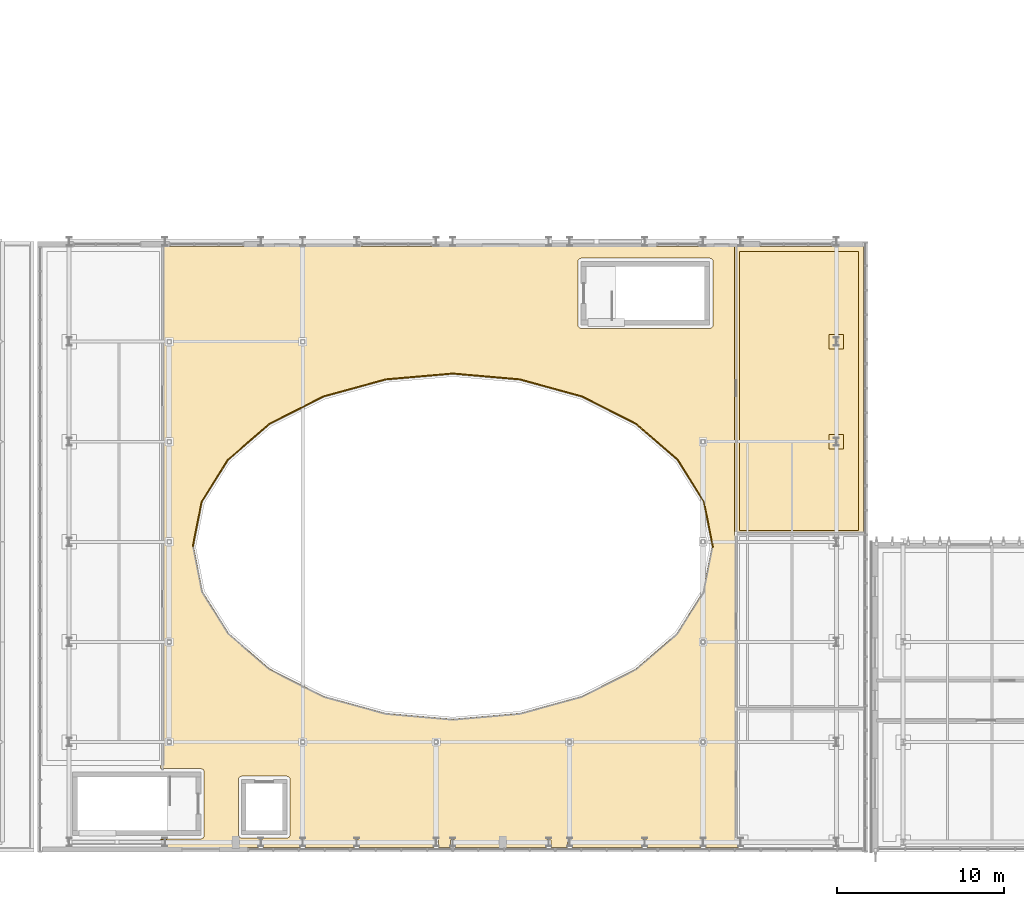
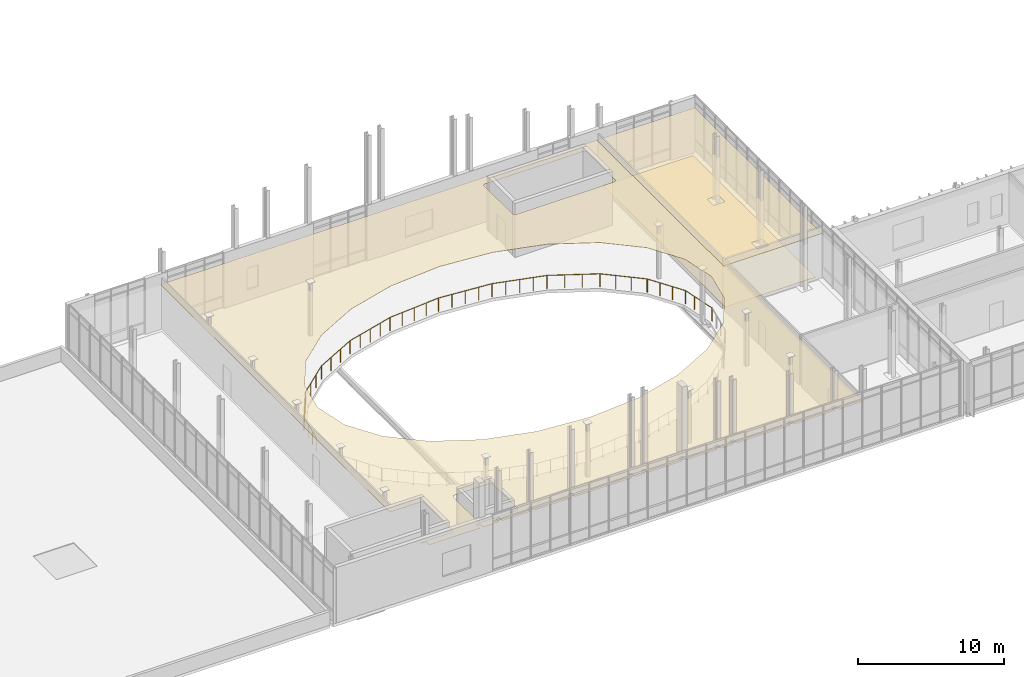
# One storey, part 77 of 86: 3 coverings, 1 railing.
"""IFC4 building model written with IfcOpenShell, lengths in metres."""

from ifc_helpers import new_model, si_unit, direction, frame, origin, origin_2d, place, context, subcontext, project, spatial, polyline, circle, outline, extrude, material, layer, layer_set, type_object, element, save


model = new_model("IFC4")

# Units and contexts
model_context = context("Model", 3, precision=1e-05, world=origin(), true_north=direction((0.0, 1.0)))
body_context = subcontext(model_context, "Body", "Model", "MODEL_VIEW")
ifc_project = project(units=[si_unit("LENGTHUNIT", "METRE"), si_unit("AREAUNIT", "SQUARE_METRE"), si_unit("VOLUMEUNIT", "CUBIC_METRE"), si_unit("PLANEANGLEUNIT", "RADIAN"), si_unit("MASSUNIT", "GRAM", prefix="KILO")], contexts=[model_context])

# Site, building, storey
site_placement = place(None, origin())
site = spatial("IfcSite", under=ifc_project, at=site_placement, CompositionType="ELEMENT")
building_placement = place(site_placement, origin())
building = spatial("IfcBuilding", under=site, at=building_placement, Name="Cymarion Research Institute", CompositionType="ELEMENT")
storey_placement = place(building_placement, frame((0.0, 0.0, 13.800048828125)))
storey = spatial("IfcBuildingStorey", under=building, at=storey_placement, Name="L03", CompositionType="ELEMENT", Elevation=13.800048828125)

# Coverings
ifc_material_1 = material(Name="Micro-perforated mineral acoustic ceiling tile", Category="gypsum")
ifc_layer_1 = layer(ifc_material_1, 0.030029296875)
ifc_layer_set_1 = layer_set([ifc_layer_1], Name="Micro-perforated mineral acoustic ceiling tile")
covering_type_1 = type_object("IfcCoveringType", Name="ACOUSTIC MICRO-PERFORATED SUSPENDED CEILING CLG-01", PredefinedType="CEILING", material=ifc_layer_set_1)
covering_1_placement = place(storey_placement, frame((0.0, 0.0, 3.699951171875)))
element("IfcCovering", 1, at=covering_1_placement, inside=storey, type_object=covering_type_1, Name="L03 L03 Curved Interaction Atrium Collaboration Gallery acoustic ceiling", PredefinedType="CEILING", context=body_context, shape_type="SweptSolid", body=[
    extrude(outline(polyline([(62.0849609375, 41.215087890625), (96.715087890625, 41.215087890625), (96.715087890625, 5.18505859375), (94.735107421875, 5.18505859375), (94.735107421875, 5.635009765625), (94.465087890625, 5.635009765625), (94.465087890625, 5.18505859375), (91.235107421875, 5.18505859375), (91.235107421875, 5.635009765625), (90.965087890625, 5.635009765625), (90.965087890625, 5.18505859375), (86.735107421875, 5.18505859375), (86.735107421875, 5.635009765625), (86.465087890625, 5.635009765625), (86.465087890625, 5.18505859375), (85.485107421875, 5.18505859375), (85.485107421875, 5.635009765625), (85.215087890625, 5.635009765625), (85.215087890625, 5.18505859375), (82.735107421875, 5.18505859375), (82.735107421875, 5.635009765625), (82.465087890625, 5.635009765625), (82.465087890625, 5.18505859375), (79.735107421875, 5.18505859375), (79.735107421875, 5.635009765625), (79.465087890625, 5.635009765625), (79.465087890625, 5.18505859375), (78.735107421875, 5.18505859375), (78.735107421875, 5.635009765625), (78.465087890625, 5.635009765625), (78.465087890625, 5.18505859375), (73.985107421875, 5.18505859375), (73.985107421875, 5.635009765625), (73.715087890625, 5.635009765625), (73.715087890625, 5.18505859375), (70.735107421875, 5.18505859375), (70.735107421875, 5.635009765625), (70.465087890625, 5.635009765625), (70.465087890625, 5.18505859375), (68.235107421875, 5.18505859375), (68.235107421875, 5.635009765625), (67.965087890625, 5.635009765625), (67.965087890625, 5.18505859375), (66.735107421875, 5.18505859375), (66.735107421875, 5.635009765625), (66.465087890625, 5.635009765625), (66.465087890625, 5.18505859375), (62.485107421875, 5.18505859375), (62.485107421875, 5.635009765625), (62.0849609375, 5.635009765625), (62.0849609375, 5.699951171875), (64.5, 5.699951171875), (64.51953125, 5.700927734375), (64.5390625, 5.703857421875), (64.55810546875, 5.70849609375), (64.576416015625, 5.715087890625), (64.59423828125, 5.7236328125), (64.611083984375, 5.733642578125), (64.626953125, 5.745361328125), (64.641357421875, 5.758544921875), (64.654541015625, 5.773193359375), (64.666259765625, 5.788818359375), (64.676513671875, 5.8056640625), (64.684814453125, 5.823486328125), (64.69140625, 5.841796875), (64.6962890625, 5.861083984375), (64.698974609375, 5.88037109375), (64.699951171875, 5.89990234375), (64.699951171875, 9.699951171875), (64.698974609375, 9.719482421875), (64.6962890625, 9.739013671875), (64.69140625, 9.758056640625), (64.684814453125, 9.776611328125), (64.676513671875, 9.794189453125), (64.666259765625, 9.81103515625), (64.654541015625, 9.826904296875), (64.641357421875, 9.84130859375), (64.626953125, 9.8544921875), (64.611083984375, 9.8662109375), (64.59423828125, 9.87646484375), (64.576416015625, 9.884765625), (64.55810546875, 9.891357421875), (64.5390625, 9.896240234375), (64.51953125, 9.89892578125), (64.5, 9.89990234375), (62.0849609375, 9.89990234375), (62.0849609375, 41.215087890625)]), holes=[polyline([(94.60986328125, 25.855712890625), (94.583984375, 25.920654296875), (93.02978515625, 28.396484375), (90.564208984375, 30.523681640625), (87.32421875, 32.1669921875), (83.609619140625, 33.184814453125), (79.60009765625, 33.534423828125), (75.590576171875, 33.184814453125), (71.8759765625, 32.1669921875), (68.6357421875, 30.523681640625), (66.170166015625, 28.396484375), (64.615966796875, 25.920654296875), (64.590087890625, 25.855712890625), (64.0673828125, 23.199951171875), (64.590087890625, 20.544189453125), (64.615966796875, 20.4794921875), (66.170166015625, 18.003662109375), (68.6357421875, 15.876220703125), (71.8759765625, 14.233154296875), (75.590576171875, 13.215087890625), (79.60009765625, 12.865478515625), (83.609619140625, 13.215087890625), (87.32421875, 14.233154296875), (90.564208984375, 15.876220703125), (93.02978515625, 18.003662109375), (94.583984375, 20.4794921875), (94.60986328125, 20.544189453125), (95.130615234375, 23.1650390625), (95.13330078125, 23.216064453125), (94.60986328125, 25.855712890625)]), polyline([(66.910888671875, 5.75390625), (66.930419921875, 5.7509765625), (66.949951171875, 5.75), (69.64990234375, 5.75), (69.669677734375, 5.7509765625), (69.68896484375, 5.75390625), (69.7080078125, 5.758544921875), (69.7265625, 5.76513671875), (69.744384765625, 5.773681640625), (69.760986328125, 5.78369140625), (69.77685546875, 5.79541015625), (69.79150390625, 5.80859375), (69.8046875, 5.822998046875), (69.81640625, 5.8388671875), (69.826416015625, 5.855712890625), (69.834716796875, 5.87353515625), (69.84130859375, 5.891845703125), (69.84619140625, 5.910888671875), (69.84912109375, 5.930419921875), (69.85009765625, 5.949951171875), (69.85009765625, 9.25), (69.84912109375, 9.26953125), (69.84619140625, 9.2890625), (69.84130859375, 9.30810546875), (69.834716796875, 9.326416015625), (69.826416015625, 9.34423828125), (69.81640625, 9.361083984375), (69.8046875, 9.376953125), (69.79150390625, 9.391357421875), (69.77685546875, 9.404541015625), (69.760986328125, 9.416259765625), (69.744384765625, 9.426513671875), (69.7265625, 9.434814453125), (69.7080078125, 9.44140625), (69.68896484375, 9.4462890625), (69.669677734375, 9.448974609375), (69.64990234375, 9.449951171875), (66.949951171875, 9.449951171875), (66.930419921875, 9.448974609375), (66.910888671875, 9.4462890625), (66.891845703125, 9.44140625), (66.87353515625, 9.434814453125), (66.855712890625, 9.426513671875), (66.8388671875, 9.416259765625), (66.822998046875, 9.404541015625), (66.80859375, 9.391357421875), (66.79541015625, 9.376953125), (66.78369140625, 9.361083984375), (66.773681640625, 9.34423828125), (66.76513671875, 9.326416015625), (66.758544921875, 9.30810546875), (66.75390625, 9.2890625), (66.7509765625, 9.26953125), (66.75, 9.25), (66.75, 5.949951171875), (66.7509765625, 5.930419921875), (66.75390625, 5.910888671875), (66.758544921875, 5.891845703125), (66.76513671875, 5.87353515625), (66.773681640625, 5.855712890625), (66.78369140625, 5.8388671875), (66.79541015625, 5.822998046875), (66.80859375, 5.80859375), (66.822998046875, 5.79541015625), (66.8388671875, 5.78369140625), (66.855712890625, 5.773681640625), (66.87353515625, 5.76513671875), (66.891845703125, 5.758544921875), (66.910888671875, 5.75390625)]), polyline([(87.241943359375, 36.30859375), (87.260986328125, 36.3037109375), (87.280517578125, 36.301025390625), (87.300048828125, 36.300048828125), (95.0, 36.300048828125), (95.01953125, 36.301025390625), (95.0390625, 36.3037109375), (95.05810546875, 36.30859375), (95.076416015625, 36.315185546875), (95.09423828125, 36.323486328125), (95.111083984375, 36.333740234375), (95.126953125, 36.345458984375), (95.141357421875, 36.358642578125), (95.154541015625, 36.373046875), (95.166259765625, 36.388916015625), (95.176513671875, 36.40576171875), (95.184814453125, 36.423583984375), (95.19140625, 36.44189453125), (95.1962890625, 36.4609375), (95.198974609375, 36.48046875), (95.199951171875, 36.5), (95.199951171875, 40.300048828125), (95.198974609375, 40.319580078125), (95.1962890625, 40.339111328125), (95.19140625, 40.358154296875), (95.184814453125, 40.37646484375), (95.176513671875, 40.394287109375), (95.166259765625, 40.4111328125), (95.154541015625, 40.427001953125), (95.141357421875, 40.44140625), (95.126953125, 40.45458984375), (95.111083984375, 40.46630859375), (95.09423828125, 40.476318359375), (95.076416015625, 40.48486328125), (95.05810546875, 40.491455078125), (95.0390625, 40.49609375), (95.01953125, 40.4990234375), (95.0, 40.5), (87.300048828125, 40.5), (87.280517578125, 40.4990234375), (87.260986328125, 40.49609375), (87.241943359375, 40.491455078125), (87.223388671875, 40.48486328125), (87.205810546875, 40.476318359375), (87.18896484375, 40.46630859375), (87.173095703125, 40.45458984375), (87.15869140625, 40.44140625), (87.1455078125, 40.427001953125), (87.1337890625, 40.4111328125), (87.12353515625, 40.394287109375), (87.115234375, 40.37646484375), (87.108642578125, 40.358154296875), (87.103759765625, 40.339111328125), (87.10107421875, 40.319580078125), (87.10009765625, 40.300048828125), (87.10009765625, 36.5), (87.10107421875, 36.48046875), (87.103759765625, 36.4609375), (87.108642578125, 36.44189453125), (87.115234375, 36.423583984375), (87.12353515625, 36.40576171875), (87.1337890625, 36.388916015625), (87.1455078125, 36.373046875), (87.15869140625, 36.358642578125), (87.173095703125, 36.345458984375), (87.18896484375, 36.333740234375), (87.205810546875, 36.323486328125), (87.223388671875, 36.315185546875), (87.241943359375, 36.30859375)])]), origin(), (0.0, 0.0, 1.0), 0.030029296875),
])
covering_2_placement = place(storey_placement, frame((0.0, 0.0, 3.699951171875)))
element("IfcCovering", 2, at=covering_2_placement, inside=storey, type_object=covering_type_1, Name="L03 L03 Scientific Periodicals & Write-Up Reading Room acoustic ceiling", PredefinedType="CEILING", context=body_context, shape_type="SweptSolid", body=[
    extrude(outline(polyline([(104.215087890625, 41.215087890625), (104.215087890625, 23.885009765625), (96.485107421875, 23.885009765625), (96.485107421875, 41.215087890625), (104.215087890625, 41.215087890625)])), origin(), (0.0, 0.0, 1.0), 0.030029296875),
])

# Railing
ifc_material_2 = material(Name="Steel S355", Category="steel")
railing_type = type_object("IfcRailingType", Name="LAMINATED GLASS AND STEEL BALUSTRADE BAL1 1120MM", PredefinedType="BALUSTRADE", material=ifc_material_2)
railing_placement = place(storey_placement, frame((64.0234375, 23.235107421875, 0.0)))
element("IfcRailing", 3, at=railing_placement, inside=storey, type_object=railing_type, Name="L03 V2 Interaction Atrium curved gallery balustrade 2", PredefinedType="BALUSTRADE", context=body_context, shape_type="SweptSolid", body=[
    extrude(circle(Radius=0.02392578125, at=origin_2d()), frame((0.0, 0.0, 1.09619140625), z_axis=(0.194929820286, 0.980817192531, 0.0), x_axis=(-0.980817192531, 0.194929820286, 0.0)), (0.0, 0.0, 1.0), 2.69140625),
    extrude(circle(Radius=0.02392578125, at=origin_2d()), frame((0.524658203125, 2.639892578125, 1.09619140625), z_axis=(0.239019047122, 0.971014878935, 0.0), x_axis=(-0.971014878935, 0.239019047122, 0.0)), (0.0, 0.0, 1.0), 0.016357421875),
    extrude(circle(Radius=0.02392578125, at=origin_2d()), frame((0.528564453125, 2.65576171875, 1.09619140625), z_axis=(0.325079768511, 0.945686599305, 0.0), x_axis=(-0.945686599305, 0.325079768511, 0.0)), (0.0, 0.0, 1.0), 0.0166015625),
    extrude(circle(Radius=0.02392578125, at=origin_2d()), frame((0.533935546875, 2.67138671875, 1.09619140625), z_axis=(0.422885465331, 0.906183139995, 0.0), x_axis=(-0.906183139995, 0.422885465331, 0.0)), (0.0, 0.0, 1.0), 0.01611328125),
    extrude(circle(Radius=0.02392578125, at=origin_2d()), frame((0.540771484375, 2.68603515625, 1.09619140625), z_axis=(0.483077342911, 0.875577684027, 0.0), x_axis=(-0.875577684027, 0.483077342911, 0.0)), (0.0, 0.0, 1.0), 0.01611328125),
    extrude(circle(Radius=0.02392578125, at=origin_2d()), frame((0.548583984375, 2.7001953125, 1.09619140625), z_axis=(0.530233369798, 0.847851740313, 0.0), x_axis=(-0.847851740313, 0.530233369798, 0.0)), (0.0, 0.0, 1.0), 2.901611328125),
    extrude(circle(Radius=0.02392578125, at=origin_2d()), frame((2.087158203125, 5.160400390625, 1.09619140625), z_axis=(0.573462344363, 0.819231920519, 0.0), x_axis=(-0.819231920519, 0.573462344363, 0.0)), (0.0, 0.0, 1.0), 0.017822265625),
    extrude(circle(Radius=0.02392578125, at=origin_2d()), frame((2.097412109375, 5.175048828125, 1.09619140625), z_axis=(0.650791373456, 0.759256602365, 0.0), x_axis=(-0.759256602365, 0.650791373456, 0.0)), (0.0, 0.0, 1.0), 0.01806640625),
    extrude(circle(Radius=0.02392578125, at=origin_2d()), frame((2.109130859375, 5.188720703125, 1.09619140625), z_axis=(0.720571759014, 0.693380371882, 0.0), x_axis=(-0.693380371882, 0.720571759014, 0.0)), (0.0, 0.0, 1.0), 0.01806640625),
    extrude(circle(Radius=0.02392578125, at=origin_2d()), frame((2.1220703125, 5.201171875, 1.09619140625), z_axis=(0.757008048914, 0.653405550848, 0.0), x_axis=(-0.653405550848, 0.757008048914, 0.0)), (0.0, 0.0, 1.0), 3.233154296875),
    extrude(circle(Radius=0.02392578125, at=origin_2d()), frame((4.569580078125, 7.313720703125, 1.09619140625), z_axis=(0.795946119382, 0.605367471079, 0.0), x_axis=(-0.605367471079, 0.795946119382, 0.0)), (0.0, 0.0, 1.0), 0.021728515625),
    extrude(circle(Radius=0.02392578125, at=origin_2d()), frame((4.5869140625, 7.326904296875, 1.09619140625), z_axis=(0.860475389039, 0.509492006668, 0.0), x_axis=(-0.509492006668, 0.860475389039, 0.0)), (0.0, 0.0, 1.0), 0.021484375),
    extrude(circle(Radius=0.02392578125, at=origin_2d()), frame((4.60546875, 7.337890625, 1.09619140625), z_axis=(0.891459882267, 0.453099633975, 0.0), x_axis=(-0.453099633975, 0.891459882267, 0.0)), (0.0, 0.0, 1.0), 3.577880859375),
    extrude(circle(Radius=0.02392578125, at=origin_2d()), frame((7.794921875, 8.958984375, 1.09619140625), z_axis=(0.917070056253, 0.398726111414, 0.0), x_axis=(-0.398726111414, 0.917070056253, 0.0)), (0.0, 0.0, 1.0), 0.018310546875),
    extrude(circle(Radius=0.02392578125, at=origin_2d()), frame((7.811767578125, 8.96630859375, 1.09619140625), z_axis=(0.95003174904, 0.31215328897, 0.0), x_axis=(-0.31215328897, 0.95003174904, 0.0)), (0.0, 0.0, 1.0), 0.01806640625),
    extrude(circle(Radius=0.02392578125, at=origin_2d()), frame((7.828857421875, 8.971923828125, 1.09619140625), z_axis=(0.964364844951, 0.264575973631, 0.0), x_axis=(-0.264575973631, 0.964364844951, 0.0)), (0.0, 0.0, 1.0), 3.8515625),
    extrude(circle(Radius=0.02392578125, at=origin_2d()), frame((11.543212890625, 9.990966796875, 1.09619140625), z_axis=(0.977581781174, 0.210556075945, 0.0), x_axis=(-0.210556075945, 0.977581781174, 0.0)), (0.0, 0.0, 1.0), 0.01611328125),
    extrude(circle(Radius=0.02392578125, at=origin_2d()), frame((11.55908203125, 9.994384765625, 1.09619140625), z_axis=(0.990830168044, 0.135113204733, 0.0), x_axis=(-0.135113204733, 0.990830168044, 0.0)), (0.0, 0.0, 1.0), 0.016357421875),
    extrude(circle(Radius=0.02392578125, at=origin_2d()), frame((11.5751953125, 9.99658203125, 1.09619140625), z_axis=(0.996217656469, 0.086892928017, 0.0), x_axis=(-0.086892928017, 0.996217656469, 0.0)), (0.0, 0.0, 1.0), 4.0009765625),
    extrude(circle(Radius=0.02392578125, at=origin_2d()), frame((15.56103515625, 10.34423828125, 1.09619140625), z_axis=(0.99890317437, 0.046823586299, 0.0), x_axis=(-0.046823586299, 0.99890317437, 0.0)), (0.0, 0.0, 1.0), 0.015625),
    extrude(circle(Radius=0.02392578125, at=origin_2d()), frame((15.57666015625, 10.344970703125, 1.09619140625), z_axis=(0.998868137724, -0.047565149415, 0.0), x_axis=(0.047565149415, 0.998868137724, 0.0)), (0.0, 0.0, 1.0), 0.015380859375),
    extrude(circle(Radius=0.02392578125, at=origin_2d()), frame((15.592041015625, 10.34423828125, 1.09619140625), z_axis=(0.996217656469, -0.086892928017, 0.0), x_axis=(0.086892928017, 0.996217656469, 0.0)), (0.0, 0.0, 1.0), 4.0009765625),
    extrude(circle(Radius=0.02392578125, at=origin_2d()), frame((19.577880859375, 9.99658203125, 1.09619140625), z_axis=(0.991098234869, -0.133132598714, 0.0), x_axis=(0.133132598714, 0.991098234869, 0.0)), (0.0, 0.0, 1.0), 0.0166015625),
    extrude(circle(Radius=0.02392578125, at=origin_2d()), frame((19.59423828125, 9.994384765625, 1.09619140625), z_axis=(0.976900017396, -0.213696878805, 0.0), x_axis=(0.213696878805, 0.976900017396, 0.0)), (0.0, 0.0, 1.0), 0.01611328125),
    extrude(circle(Radius=0.02392578125, at=origin_2d()), frame((19.60986328125, 9.990966796875, 1.09619140625), z_axis=(0.964364844951, -0.264575973631, 0.0), x_axis=(0.264575973631, 0.964364844951, 0.0)), (0.0, 0.0, 1.0), 3.8515625),
    extrude(circle(Radius=0.02392578125, at=origin_2d()), frame((23.32421875, 8.971923828125, 1.09619140625), z_axis=(0.951329033501, -0.308177010852, 0.0), x_axis=(0.308177010852, 0.951329033501, 0.0)), (0.0, 0.0, 1.0), 0.018310546875),
    extrude(circle(Radius=0.02392578125, at=origin_2d()), frame((23.341552734375, 8.96630859375, 1.09619140625), z_axis=(0.914917801573, -0.403640206576, 0.0), x_axis=(0.403640206576, 0.914917801573, 0.0)), (0.0, 0.0, 1.0), 0.01806640625),
    extrude(circle(Radius=0.02392578125, at=origin_2d()), frame((23.358154296875, 8.958984375, 1.09619140625), z_axis=(0.891459882267, -0.453099633975, 0.0), x_axis=(0.453099633975, 0.891459882267, 0.0)), (0.0, 0.0, 1.0), 3.577880859375),
    extrude(circle(Radius=0.02392578125, at=origin_2d()), frame((26.547607421875, 7.337890625, 1.09619140625), z_axis=(0.860475389039, -0.509492006668, 0.0), x_axis=(0.509492006668, 0.860475389039, 0.0)), (0.0, 0.0, 1.0), 0.021484375),
    extrude(circle(Radius=0.02392578125, at=origin_2d()), frame((26.566162109375, 7.326904296875, 1.09619140625), z_axis=(0.795946119382, -0.605367471079, 0.0), x_axis=(0.605367471079, 0.795946119382, 0.0)), (0.0, 0.0, 1.0), 0.021728515625),
    extrude(circle(Radius=0.02392578125, at=origin_2d()), frame((26.58349609375, 7.313720703125, 1.09619140625), z_axis=(0.757008048914, -0.653405550848, 0.0), x_axis=(0.653405550848, 0.757008048914, 0.0)), (0.0, 0.0, 1.0), 3.233154296875),
    extrude(circle(Radius=0.02392578125, at=origin_2d()), frame((29.031005859375, 5.201171875, 1.09619140625), z_axis=(0.720571759014, -0.693380371882, 0.0), x_axis=(0.693380371882, 0.720571759014, 0.0)), (0.0, 0.0, 1.0), 0.01806640625),
    extrude(circle(Radius=0.02392578125, at=origin_2d()), frame((29.0439453125, 5.188720703125, 1.09619140625), z_axis=(0.650791373456, -0.759256602365, 0.0), x_axis=(0.759256602365, 0.650791373456, 0.0)), (0.0, 0.0, 1.0), 0.01806640625),
    extrude(circle(Radius=0.02392578125, at=origin_2d()), frame((29.0556640625, 5.175048828125, 1.09619140625), z_axis=(0.573462344363, -0.819231920519, 0.0), x_axis=(0.819231920519, 0.573462344363, 0.0)), (0.0, 0.0, 1.0), 0.017822265625),
    extrude(circle(Radius=0.02392578125, at=origin_2d()), frame((29.06591796875, 5.160400390625, 1.09619140625), z_axis=(0.530233369798, -0.847851740313, 0.0), x_axis=(0.847851740313, 0.530233369798, 0.0)), (0.0, 0.0, 1.0), 2.901611328125),
    extrude(circle(Radius=0.02392578125, at=origin_2d()), frame((30.6044921875, 2.7001953125, 1.09619140625), z_axis=(0.494524249255, -0.869163832024, 0.0), x_axis=(0.869163832024, 0.494524249255, 0.0)), (0.0, 0.0, 1.0), 0.016357421875),
    extrude(circle(Radius=0.02392578125, at=origin_2d()), frame((30.612548828125, 2.68603515625, 1.09619140625), z_axis=(0.410364677329, -0.911921505175, 0.0), x_axis=(0.911921505175, 0.410364677329, 0.0)), (0.0, 0.0, 1.0), 0.01611328125),
    extrude(circle(Radius=0.02392578125, at=origin_2d()), frame((30.619140625, 2.67138671875, 1.09619140625), z_axis=(0.325079768511, -0.945686599305, 0.0), x_axis=(0.945686599305, 0.325079768511, 0.0)), (0.0, 0.0, 1.0), 0.0166015625),
    extrude(circle(Radius=0.02392578125, at=origin_2d()), frame((30.62451171875, 2.65576171875, 1.09619140625), z_axis=(0.239019047122, -0.971014878935, 0.0), x_axis=(0.971014878935, 0.239019047122, 0.0)), (0.0, 0.0, 1.0), 0.016357421875),
    extrude(circle(Radius=0.02392578125, at=origin_2d()), frame((30.62841796875, 2.639892578125, 1.09619140625), z_axis=(0.194929820286, -0.980817192531, 0.0), x_axis=(0.980817192531, 0.194929820286, 0.0)), (0.0, 0.0, 1.0), 2.69140625),
    extrude(circle(Radius=0.02392578125, at=origin_2d()), frame((31.153076171875, 0.0, 1.09619140625), z_axis=(0.151025398742, -0.988529882672, 0.0), x_axis=(0.988529882672, 0.151025398742, 0.0)), (0.0, 0.0, 1.0), 0.017822265625),
    extrude(circle(Radius=0.02392578125, at=origin_2d()), frame((31.15576171875, -0.017578125, 1.09619140625), z_axis=(0.041630544712, -0.999133073092, 0.0), x_axis=(0.999133073092, 0.041630544712, 0.0)), (0.0, 0.0, 1.0), 0.017578125),
    extrude(circle(Radius=0.02392578125, at=origin_2d()), frame((31.156494140625, -0.03515625, 1.09619140625), z_axis=(-0.041630544712, -0.999133073092, 0.0), x_axis=(0.999133073092, -0.041630544712, 0.0)), (0.0, 0.0, 1.0), 0.017578125),
    extrude(circle(Radius=0.02392578125, at=origin_2d()), frame((31.15576171875, -0.052734375, 1.09619140625), z_axis=(-0.151025398742, -0.988529882672, 0.0), x_axis=(0.988529882672, -0.151025398742, 0.0)), (0.0, 0.0, 1.0), 0.017822265625),
    extrude(circle(Radius=0.02099609375, at=origin_2d()), origin(), (0.0, 0.0, 1.0), 1.072021484375),
    extrude(circle(Radius=0.02099609375, at=origin_2d()), frame((0.1748046875, 0.8798828125, 0.0)), (0.0, 0.0, 1.0), 1.072021484375),
    extrude(circle(Radius=0.02099609375, at=origin_2d()), frame((0.349853515625, 1.760009765625, 0.0)), (0.0, 0.0, 1.0), 1.072021484375),
    extrude(circle(Radius=0.02099609375, at=origin_2d()), frame((0.524658203125, 2.639892578125, 0.0)), (0.0, 0.0, 1.0), 1.072021484375),
    extrude(circle(Radius=0.02099609375, at=origin_2d()), frame((0.528564453125, 2.65576171875, 0.0)), (0.0, 0.0, 1.0), 1.072021484375),
    extrude(circle(Radius=0.02099609375, at=origin_2d()), frame((0.533935546875, 2.67138671875, 0.0)), (0.0, 0.0, 1.0), 1.072021484375),
    extrude(circle(Radius=0.02099609375, at=origin_2d()), frame((0.540771484375, 2.68603515625, 0.0)), (0.0, 0.0, 1.0), 1.072021484375),
    extrude(circle(Radius=0.02099609375, at=origin_2d()), frame((0.548583984375, 2.7001953125, 0.0)), (0.0, 0.0, 1.0), 1.072021484375),
    extrude(circle(Radius=0.02099609375, at=origin_2d()), frame((1.0615234375, 3.520263671875, 0.0)), (0.0, 0.0, 1.0), 1.072021484375),
    extrude(circle(Radius=0.02099609375, at=origin_2d()), frame((1.57421875, 4.34033203125, 0.0)), (0.0, 0.0, 1.0), 1.072021484375),
    extrude(circle(Radius=0.02099609375, at=origin_2d()), frame((2.087158203125, 5.160400390625, 0.0)), (0.0, 0.0, 1.0), 1.072021484375),
    extrude(circle(Radius=0.02099609375, at=origin_2d()), frame((2.097412109375, 5.175048828125, 0.0)), (0.0, 0.0, 1.0), 1.072021484375),
    extrude(circle(Radius=0.02099609375, at=origin_2d()), frame((2.109130859375, 5.188720703125, 0.0)), (0.0, 0.0, 1.0), 1.072021484375),
    extrude(circle(Radius=0.02099609375, at=origin_2d()), frame((2.1220703125, 5.201171875, 0.0)), (0.0, 0.0, 1.0), 1.072021484375),
    extrude(circle(Radius=0.02099609375, at=origin_2d()), frame((2.93798828125, 5.9052734375, 0.0)), (0.0, 0.0, 1.0), 1.072021484375),
    extrude(circle(Radius=0.02099609375, at=origin_2d()), frame((3.753662109375, 6.609619140625, 0.0)), (0.0, 0.0, 1.0), 1.072021484375),
    extrude(circle(Radius=0.02099609375, at=origin_2d()), frame((4.569580078125, 7.313720703125, 0.0)), (0.0, 0.0, 1.0), 1.072021484375),
    extrude(circle(Radius=0.02099609375, at=origin_2d()), frame((4.5869140625, 7.326904296875, 0.0)), (0.0, 0.0, 1.0), 1.072021484375),
    extrude(circle(Radius=0.02099609375, at=origin_2d()), frame((4.60546875, 7.337890625, 0.0)), (0.0, 0.0, 1.0), 1.072021484375),
    extrude(circle(Radius=0.02099609375, at=origin_2d()), frame((5.668701171875, 7.878173828125, 0.0)), (0.0, 0.0, 1.0), 1.072021484375),
    extrude(circle(Radius=0.02099609375, at=origin_2d()), frame((6.731689453125, 8.418701171875, 0.0)), (0.0, 0.0, 1.0), 1.072021484375),
    extrude(circle(Radius=0.02099609375, at=origin_2d()), frame((7.794921875, 8.958984375, 0.0)), (0.0, 0.0, 1.0), 1.072021484375),
    extrude(circle(Radius=0.02099609375, at=origin_2d()), frame((7.811767578125, 8.96630859375, 0.0)), (0.0, 0.0, 1.0), 1.072021484375),
    extrude(circle(Radius=0.02099609375, at=origin_2d()), frame((7.828857421875, 8.971923828125, 0.0)), (0.0, 0.0, 1.0), 1.072021484375),
    extrude(circle(Radius=0.02099609375, at=origin_2d()), frame((8.75732421875, 9.2265625, 0.0)), (0.0, 0.0, 1.0), 1.072021484375),
    extrude(circle(Radius=0.02099609375, at=origin_2d()), frame((9.68603515625, 9.4814453125, 0.0)), (0.0, 0.0, 1.0), 1.072021484375),
    extrude(circle(Radius=0.02099609375, at=origin_2d()), frame((10.61474609375, 9.736328125, 0.0)), (0.0, 0.0, 1.0), 1.072021484375),
    extrude(circle(Radius=0.02099609375, at=origin_2d()), frame((11.543212890625, 9.990966796875, 0.0)), (0.0, 0.0, 1.0), 1.072021484375),
    extrude(circle(Radius=0.02099609375, at=origin_2d()), frame((11.55908203125, 9.994384765625, 0.0)), (0.0, 0.0, 1.0), 1.072021484375),
    extrude(circle(Radius=0.02099609375, at=origin_2d()), frame((11.5751953125, 9.99658203125, 0.0)), (0.0, 0.0, 1.0), 1.072021484375),
    extrude(circle(Radius=0.02099609375, at=origin_2d()), frame((12.57177734375, 10.08349609375, 0.0)), (0.0, 0.0, 1.0), 1.072021484375),
    extrude(circle(Radius=0.02099609375, at=origin_2d()), frame((13.568115234375, 10.17041015625, 0.0)), (0.0, 0.0, 1.0), 1.072021484375),
    extrude(circle(Radius=0.02099609375, at=origin_2d()), frame((14.564453125, 10.25732421875, 0.0)), (0.0, 0.0, 1.0), 1.072021484375),
    extrude(circle(Radius=0.02099609375, at=origin_2d()), frame((15.56103515625, 10.34423828125, 0.0)), (0.0, 0.0, 1.0), 1.072021484375),
    extrude(circle(Radius=0.02099609375, at=origin_2d()), frame((15.57666015625, 10.344970703125, 0.0)), (0.0, 0.0, 1.0), 1.072021484375),
    extrude(circle(Radius=0.02099609375, at=origin_2d()), frame((15.592041015625, 10.34423828125, 0.0)), (0.0, 0.0, 1.0), 1.072021484375),
    extrude(circle(Radius=0.02099609375, at=origin_2d()), frame((16.58837890625, 10.25732421875, 0.0)), (0.0, 0.0, 1.0), 1.072021484375),
    extrude(circle(Radius=0.02099609375, at=origin_2d()), frame((17.5849609375, 10.17041015625, 0.0)), (0.0, 0.0, 1.0), 1.072021484375),
    extrude(circle(Radius=0.02099609375, at=origin_2d()), frame((18.58154296875, 10.08349609375, 0.0)), (0.0, 0.0, 1.0), 1.072021484375),
    extrude(circle(Radius=0.02099609375, at=origin_2d()), frame((19.577880859375, 9.99658203125, 0.0)), (0.0, 0.0, 1.0), 1.072021484375),
    extrude(circle(Radius=0.02099609375, at=origin_2d()), frame((19.59423828125, 9.994384765625, 0.0)), (0.0, 0.0, 1.0), 1.072021484375),
    extrude(circle(Radius=0.02099609375, at=origin_2d()), frame((19.60986328125, 9.990966796875, 0.0)), (0.0, 0.0, 1.0), 1.072021484375),
    extrude(circle(Radius=0.02099609375, at=origin_2d()), frame((20.53857421875, 9.736328125, 0.0)), (0.0, 0.0, 1.0), 1.072021484375),
    extrude(circle(Radius=0.02099609375, at=origin_2d()), frame((21.467041015625, 9.4814453125, 0.0)), (0.0, 0.0, 1.0), 1.072021484375),
    extrude(circle(Radius=0.02099609375, at=origin_2d()), frame((22.3955078125, 9.2265625, 0.0)), (0.0, 0.0, 1.0), 1.072021484375),
    extrude(circle(Radius=0.02099609375, at=origin_2d()), frame((23.32421875, 8.971923828125, 0.0)), (0.0, 0.0, 1.0), 1.072021484375),
    extrude(circle(Radius=0.02099609375, at=origin_2d()), frame((23.341552734375, 8.96630859375, 0.0)), (0.0, 0.0, 1.0), 1.072021484375),
    extrude(circle(Radius=0.02099609375, at=origin_2d()), frame((23.358154296875, 8.958984375, 0.0)), (0.0, 0.0, 1.0), 1.072021484375),
    extrude(circle(Radius=0.02099609375, at=origin_2d()), frame((24.42138671875, 8.418701171875, 0.0)), (0.0, 0.0, 1.0), 1.072021484375),
    extrude(circle(Radius=0.02099609375, at=origin_2d()), frame((25.484375, 7.878173828125, 0.0)), (0.0, 0.0, 1.0), 1.072021484375),
    extrude(circle(Radius=0.02099609375, at=origin_2d()), frame((26.547607421875, 7.337890625, 0.0)), (0.0, 0.0, 1.0), 1.072021484375),
    extrude(circle(Radius=0.02099609375, at=origin_2d()), frame((26.566162109375, 7.326904296875, 0.0)), (0.0, 0.0, 1.0), 1.072021484375),
    extrude(circle(Radius=0.02099609375, at=origin_2d()), frame((26.58349609375, 7.313720703125, 0.0)), (0.0, 0.0, 1.0), 1.072021484375),
    extrude(circle(Radius=0.02099609375, at=origin_2d()), frame((27.3994140625, 6.609619140625, 0.0)), (0.0, 0.0, 1.0), 1.072021484375),
    extrude(circle(Radius=0.02099609375, at=origin_2d()), frame((28.215087890625, 5.9052734375, 0.0)), (0.0, 0.0, 1.0), 1.072021484375),
    extrude(circle(Radius=0.02099609375, at=origin_2d()), frame((29.031005859375, 5.201171875, 0.0)), (0.0, 0.0, 1.0), 1.072021484375),
    extrude(circle(Radius=0.02099609375, at=origin_2d()), frame((29.0439453125, 5.188720703125, 0.0)), (0.0, 0.0, 1.0), 1.072021484375),
    extrude(circle(Radius=0.02099609375, at=origin_2d()), frame((29.0556640625, 5.175048828125, 0.0)), (0.0, 0.0, 1.0), 1.072021484375),
    extrude(circle(Radius=0.02099609375, at=origin_2d()), frame((29.06591796875, 5.160400390625, 0.0)), (0.0, 0.0, 1.0), 1.072021484375),
    extrude(circle(Radius=0.02099609375, at=origin_2d()), frame((29.578857421875, 4.34033203125, 0.0)), (0.0, 0.0, 1.0), 1.072021484375),
    extrude(circle(Radius=0.02099609375, at=origin_2d()), frame((30.091552734375, 3.520263671875, 0.0)), (0.0, 0.0, 1.0), 1.072021484375),
    extrude(circle(Radius=0.02099609375, at=origin_2d()), frame((30.6044921875, 2.7001953125, 0.0)), (0.0, 0.0, 1.0), 1.072021484375),
    extrude(circle(Radius=0.02099609375, at=origin_2d()), frame((30.612548828125, 2.68603515625, 0.0)), (0.0, 0.0, 1.0), 1.072021484375),
    extrude(circle(Radius=0.02099609375, at=origin_2d()), frame((30.619140625, 2.67138671875, 0.0)), (0.0, 0.0, 1.0), 1.072021484375),
    extrude(circle(Radius=0.02099609375, at=origin_2d()), frame((30.62451171875, 2.65576171875, 0.0)), (0.0, 0.0, 1.0), 1.072021484375),
    extrude(circle(Radius=0.02099609375, at=origin_2d()), frame((30.62841796875, 2.639892578125, 0.0)), (0.0, 0.0, 1.0), 1.072021484375),
    extrude(circle(Radius=0.02099609375, at=origin_2d()), frame((30.80322265625, 1.760009765625, 0.0)), (0.0, 0.0, 1.0), 1.072021484375),
    extrude(circle(Radius=0.02099609375, at=origin_2d()), frame((30.978271484375, 0.8798828125, 0.0)), (0.0, 0.0, 1.0), 1.072021484375),
    extrude(circle(Radius=0.02099609375, at=origin_2d()), frame((31.153076171875, 0.0, 0.0)), (0.0, 0.0, 1.0), 1.072021484375),
    extrude(circle(Radius=0.02099609375, at=origin_2d()), frame((31.15576171875, -0.017578125, 0.0)), (0.0, 0.0, 1.0), 1.072021484375),
    extrude(circle(Radius=0.02099609375, at=origin_2d()), frame((31.156494140625, -0.03515625, 0.0)), (0.0, 0.0, 1.0), 1.072021484375),
    extrude(circle(Radius=0.02099609375, at=origin_2d()), frame((31.15576171875, -0.052734375, 0.0)), (0.0, 0.0, 1.0), 1.072021484375),
    extrude(circle(Radius=0.02099609375, at=origin_2d()), frame((31.153076171875, -0.0703125, 0.0)), (0.0, 0.0, 1.0), 1.072021484375),
])

# Covering
ifc_material_3 = material(Name="Seamless dissipative epoxy resin flooring", Category="resin")
ifc_layer_2 = layer(ifc_material_3, 0.02001953125)
ifc_layer_set_2 = layer_set([ifc_layer_2], Name="Seamless dissipative epoxy resin flooring")
covering_type_2 = type_object("IfcCoveringType", Name="SEAMLESS ESD EPOXY LABORATORY FLOORING FLR-01", PredefinedType="FLOORING", material=ifc_layer_set_2)
covering_3_placement = place(storey_placement, origin())
element("IfcCovering", 4, at=covering_3_placement, inside=storey, type_object=covering_type_2, Name="L03 L03 Scientific Periodicals & Write-Up Reading Room ESD epoxy flooring", PredefinedType="FLOORING", context=body_context, shape_type="SweptSolid", body=[
    extrude(outline(polyline([(96.784912109375, 40.9150390625), (103.9150390625, 40.9150390625), (103.9150390625, 24.18505859375), (96.784912109375, 24.18505859375), (96.784912109375, 40.9150390625)]), holes=[polyline([(103.034912109375, 29.93505859375), (102.1650390625, 29.93505859375), (102.1650390625, 29.06494140625), (103.034912109375, 29.06494140625), (103.034912109375, 29.93505859375)]), polyline([(103.034912109375, 35.93505859375), (102.1650390625, 35.93505859375), (102.1650390625, 35.06494140625), (103.034912109375, 35.06494140625), (103.034912109375, 35.93505859375)])]), origin(), (0.0, 0.0, 1.0), 0.02001953125),
])

save(model, "model.ifc")
